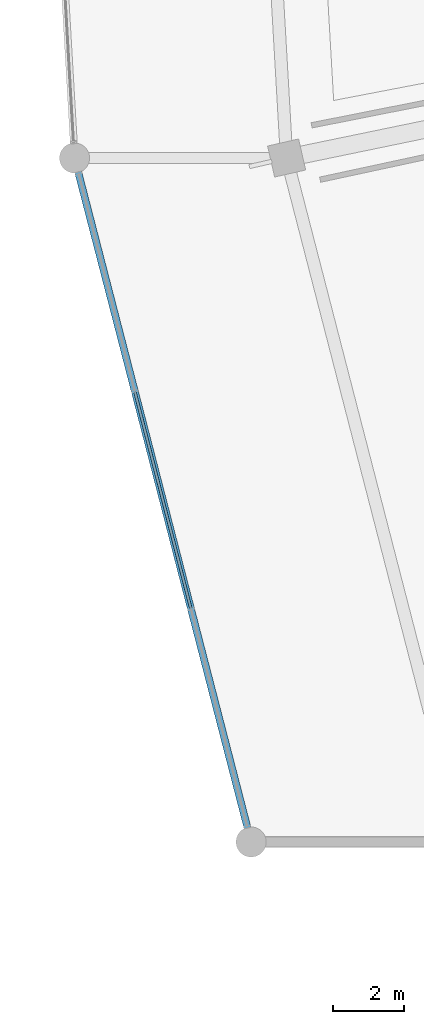
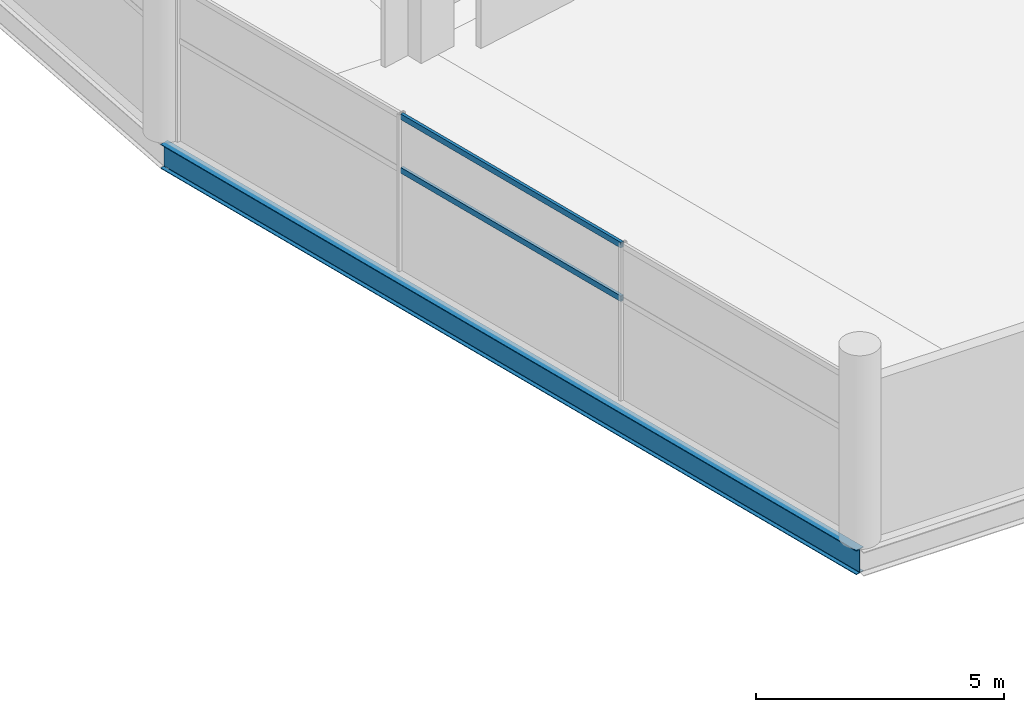
# One storey, part 10 of 156: 2 members, 1 beam, 1 element without a shape of its own.
"""IFC4 building model written with IfcOpenShell, lengths in metres."""

from ifc_helpers import new_model, si_unit, direction, frame, origin, origin_2d, place, context, subcontext, project, spatial, hollow_rectangle, i_section, extrude, material, layer, layer_set, material_profile, profile_set, type_object, element, aggregate, save


model = new_model("IFC4")

# Units and contexts
model_context = context("Model", 3, precision=1e-05, world=origin(), true_north=direction((0.0, 1.0)))
body_context = subcontext(model_context, "Body", "Model", "MODEL_VIEW")
ifc_project = project(units=[si_unit("LENGTHUNIT", "METRE"), si_unit("AREAUNIT", "SQUARE_METRE"), si_unit("VOLUMEUNIT", "CUBIC_METRE"), si_unit("PLANEANGLEUNIT", "RADIAN"), si_unit("MASSUNIT", "GRAM", prefix="KILO")], contexts=[model_context])

# Site, building, storey
site_placement = place(None, origin())
site = spatial("IfcSite", under=ifc_project, at=site_placement, CompositionType="ELEMENT")
building_placement = place(site_placement, origin())
building = spatial("IfcBuilding", under=site, at=building_placement, Name="Kazemori Nagisa Stadium", CompositionType="ELEMENT")
storey_placement = place(building_placement, frame((0.0, 0.0, 5.780029296875)))
storey = spatial("IfcBuildingStorey", under=building, at=storey_placement, Name="L01", CompositionType="ELEMENT", Elevation=5.780029296875)

# Beam
ifc_material_1 = material(Name="Steel SN490B", Category="steel")
ifc_material_profile_1 = material_profile(ifc_material_1, i_section(OverallWidth=0.199951171875, OverallDepth=0.60009765625, WebThickness=0.010986328125, FlangeThickness=0.01708984375, FilletRadius=0.012939453125, at=origin_2d()), Name="H-600x200x11x17")
ifc_profile_set_1 = profile_set([ifc_material_profile_1], Name="Steel SN490B")
beam_type = type_object("IfcBeamType", Name="Beam_BS-H600", PredefinedType="SPANDREL", material=ifc_profile_set_1)
beam_placement = place(storey_placement, frame((23.119140625, 82.602294921875, -0.573974609375), z_axis=(0.249964097999, -0.968255105699, 0.0), x_axis=(0.968255105699, 0.249964097999, 0.0)))
element("IfcBeam", 1, at=beam_placement, inside=storey, type_object=beam_type, Name="Boulevard edge beam BS-H600 L01 R4-16", PredefinedType="SPANDREL", context=body_context, shape_type="SweptSolid", body=[
    extrude(i_section(OverallWidth=0.199951171875, OverallDepth=0.60009765625, WebThickness=0.010986328125, FlangeThickness=0.01708984375, FilletRadius=0.012939453125, at=origin_2d()), origin(), (0.0, 0.0, 1.0), 19.986328125),
])

# Curtain wall, members
ifc_material_2 = material(Name="Anodised aluminium 6063-T5", Category="aluminium")
ifc_layer = layer(ifc_material_2, 0.179931640625, Name="Anodised aluminium 6063-T5", Category="aluminium")
ifc_layer_set = layer_set([ifc_layer], Name="Anodised aluminium 6063-T5")
curtain_wall_type = type_object("IfcCurtainWallType", Name="CW_L01R3_96", PredefinedType="USERDEFINED", material=ifc_layer_set)
curtain_wall_placement = place(storey_placement, origin())
curtain_wall = element("IfcCurtainWall", 2, at=curtain_wall_placement, inside=storey, type_object=curtain_wall_type, Name="Unitised curtain wall CW-L01R3-96 L01", ObjectType="UNITISED CURTAIN WALL", PredefinedType="USERDEFINED")
ifc_material_3 = material(Name="Aluminium 6063-T5 anodised", Category="aluminium")
ifc_material_profile_2 = material_profile(ifc_material_3, hollow_rectangle(XDim=0.070068359375, YDim=0.139892578125, WallThickness=0.00390625, at=origin_2d()), Name="ALU-TRAN-70x140x4")
ifc_profile_set_2 = profile_set([ifc_material_profile_2], Name="Aluminium 6063-T5 anodised")
member_type = type_object("IfcMemberType", Name="Transom_T01", PredefinedType="USERDEFINED", material=ifc_profile_set_2)
member_1_placement = place(storey_placement, frame((24.82666015625, 75.98876953125, 2.4638671875), z_axis=(0.249948056089, -0.968259246926, 0.0), x_axis=(0.968259246926, 0.249948056089, 0.0)))
member_1 = element("IfcMember", 3, at=member_1_placement, type_object=member_type, Name="Curtain wall transom CW-L01R3-96-T2-mid", ObjectType="TRANSOM", PredefinedType="USERDEFINED", context=body_context, shape_type="SweptSolid", body=[
    extrude(hollow_rectangle(XDim=0.070068359375, YDim=0.139892578125, WallThickness=0.00390625, at=origin_2d()), origin(), (0.0, 0.0, 1.0), 6.325439453125),
])
member_2_placement = place(storey_placement, frame((24.82666015625, 75.98876953125, 3.780029296875), z_axis=(0.249948056089, -0.968259246926, 0.0), x_axis=(0.968259246926, 0.249948056089, 0.0)))
member_2 = element("IfcMember", 4, at=member_2_placement, type_object=member_type, Name="Curtain wall transom CW-L01R3-96-T2-head", ObjectType="TRANSOM", PredefinedType="USERDEFINED", context=body_context, shape_type="SweptSolid", body=[
    extrude(hollow_rectangle(XDim=0.070068359375, YDim=0.139892578125, WallThickness=0.00390625, at=origin_2d()), origin(), (0.0, 0.0, 1.0), 6.325439453125),
])
aggregate(curtain_wall, [member_1, member_2])

save(model, "model.ifc")
